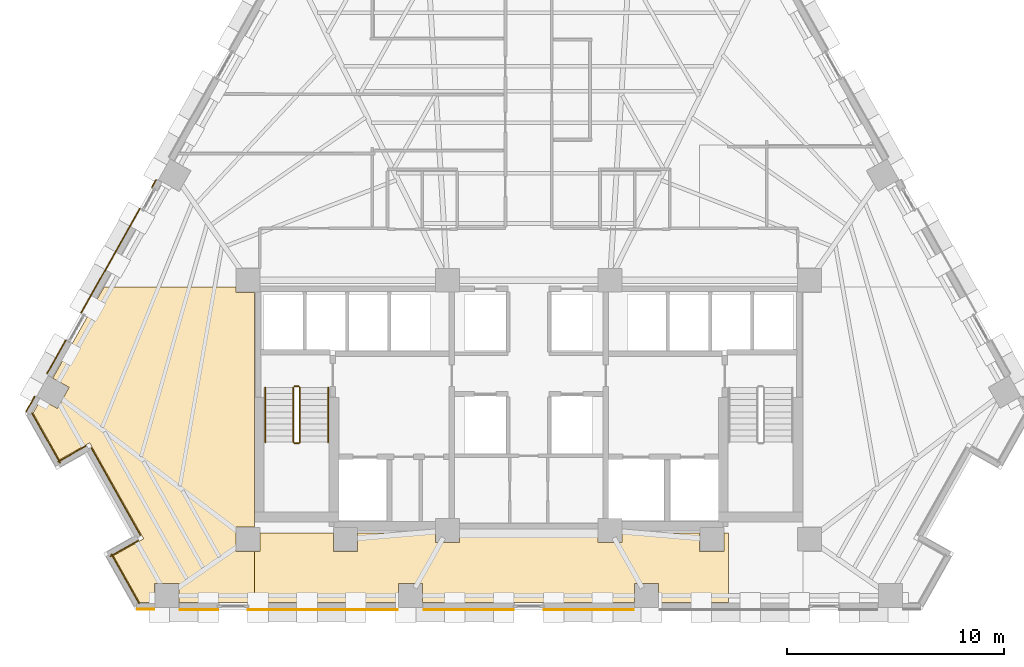
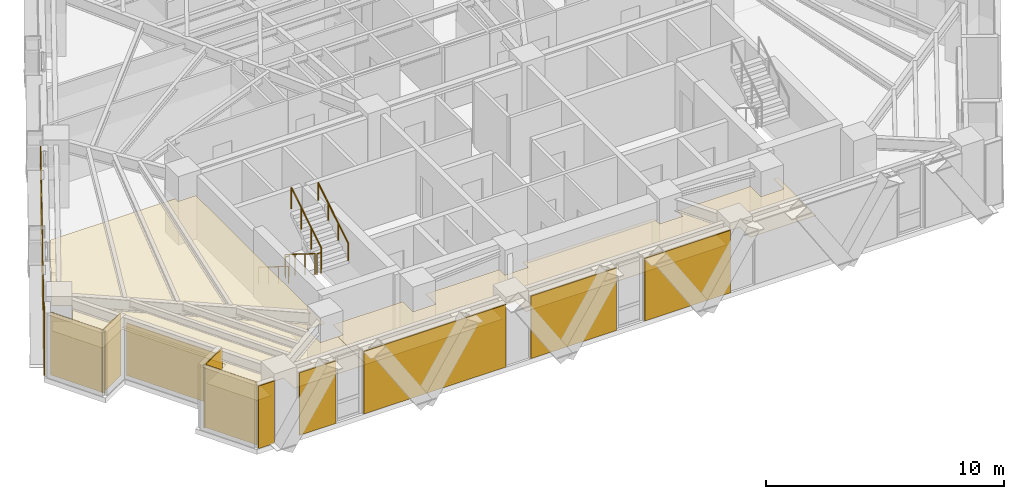
# One storey, part 10 of 13: 16 coverings, 6 railings.
"""IFC4 building model written with IfcOpenShell, lengths in metres."""

from ifc_helpers import new_model, si_unit, direction, frame, origin, origin_2d, place, context, subcontext, project, spatial, polyline, circle, outline, extrude, material, layer, layer_set, type_object, element, save


model = new_model("IFC4")

# Units and contexts
model_context = context("Model", 3, precision=1e-05, world=origin(), true_north=direction((0.0, 1.0)))
body_context = subcontext(model_context, "Body", "Model", "MODEL_VIEW")
ifc_project = project(units=[si_unit("LENGTHUNIT", "METRE"), si_unit("AREAUNIT", "SQUARE_METRE"), si_unit("VOLUMEUNIT", "CUBIC_METRE"), si_unit("PLANEANGLEUNIT", "RADIAN"), si_unit("MASSUNIT", "GRAM", prefix="KILO")], contexts=[model_context])

# Site, building, storey
site_placement = place(None, origin())
site = spatial("IfcSite", under=ifc_project, at=site_placement, CompositionType="ELEMENT")
building_placement = place(site_placement, origin())
building = spatial("IfcBuilding", under=site, at=building_placement, Name="Quenlor Broadcast Tower", CompositionType="ELEMENT")
storey_placement = place(building_placement, frame((0.0, 0.0, 98.5)))
storey = spatial("IfcBuildingStorey", under=building, at=storey_placement, Name="L26", CompositionType="ELEMENT", Elevation=98.5)

# Coverings
ifc_material_1 = material(Name="Acoustic Mineral Fibre Board", Category="other")
ifc_layer_1 = layer(ifc_material_1, 0.02490234375)
ifc_layer_set_1 = layer_set([ifc_layer_1], Name="Acoustic Perforated Mineral Tile Ceiling 25")
covering_type_1 = type_object("IfcCoveringType", Name="Acoustic Perforated Mineral Tile Ceiling 25", PredefinedType="CEILING", material=ifc_layer_set_1)
covering_1_placement = place(storey_placement, frame((0.0, 0.0, 2.22509765625)))
element("IfcCovering", 1, at=covering_1_placement, inside=storey, type_object=covering_type_1, Name="L26 Acoustic Ceiling L26-40-2", PredefinedType="CEILING", context=body_context, shape_type="SweptSolid", body=[
    extrude(outline(polyline([(-22.85693359375, -10.927978515625), (-22.49853515625, -10.290771484375), (-21.741943359375, -10.71630859375), (-21.19482421875, -9.74365234375), (-21.951416015625, -9.318115234375), (-19.58984375, -5.1201171875), (-13.508056640625, -5.1201171875), (-13.508056640625, -5.35791015625), (-12.64990234375, -5.35791015625), (-12.64990234375, -16.19189453125), (-13.508056640625, -16.19189453125), (-13.508056640625, -17.30810546875), (-12.64990234375, -17.30810546875), (-12.64990234375, -19.659912109375), (-16.134521484375, -19.659912109375), (-16.134521484375, -18.7919921875), (-17.25048828125, -18.7919921875), (-17.25048828125, -19.659912109375), (-17.9453125, -19.659912109375), (-19.15380859375, -17.510986328125), (-17.759521484375, -16.7265625), (-20.25, -12.299072265625), (-21.64453125, -13.08349609375), (-22.85693359375, -10.927978515625)])), origin(), (0.0, 0.0, 1.0), 0.02490234375),
])
covering_2_placement = place(storey_placement, frame((0.0, 0.0, 2.22509765625)))
element("IfcCovering", 2, at=covering_2_placement, inside=storey, type_object=covering_type_1, Name="L26 Acoustic Ceiling L26-40-3", PredefinedType="CEILING", context=body_context, shape_type="SweptSolid", body=[
    extrude(outline(polyline([(-12.39208984375, -17.30810546875), (-12.39208984375, -16.449951171875), (-9.008056640625, -16.449951171875), (-9.008056640625, -17.30810546875), (-7.89208984375, -17.30810546875), (-7.89208984375, -16.449951171875), (-4.30810546875, -16.449951171875), (-4.30810546875, -16.907958984375), (-3.19189453125, -16.907958984375), (-3.19189453125, -16.449951171875), (3.19189453125, -16.449951171875), (3.19189453125, -16.907958984375), (4.30810546875, -16.907958984375), (4.30810546875, -16.449951171875), (7.89208984375, -16.449951171875), (7.89208984375, -17.30810546875), (9.008056640625, -17.30810546875), (9.008056640625, -16.449951171875), (9.221923828125, -16.449951171875), (9.221923828125, -19.659912109375), (6.001220703125, -19.659912109375), (6.001220703125, -18.7919921875), (4.88525390625, -18.7919921875), (4.88525390625, -19.659912109375), (-4.88525390625, -19.659912109375), (-4.88525390625, -18.7919921875), (-6.001220703125, -18.7919921875), (-6.001220703125, -19.659912109375), (-12.64990234375, -19.659912109375), (-12.64990234375, -17.30810546875), (-12.39208984375, -17.30810546875)])), origin(), (0.0, 0.0, 1.0), 0.02490234375),
])
ifc_material_2 = material(Name="Architectural Terracotta Ceramic", Category="masonry")
ifc_layer_2 = layer(ifc_material_2, 0.044921875)
ifc_layer_set_2 = layer_set([ifc_layer_2], Name="Fluted Terracotta Rainscreen Cladding Panel")
covering_type_2 = type_object("IfcCoveringType", Name="Fluted Terracotta Rainscreen Cladding Panel", PredefinedType="CLADDING", material=ifc_layer_set_2)
covering_3_placement = place(storey_placement, frame((0.0, 0.0, 0.02001953125)))
element("IfcCovering", 3, at=covering_3_placement, inside=storey, type_object=covering_type_2, Name="L26 Terracotta Rainscreen Cladding L26-SHD-SS1", PredefinedType="CLADDING", context=body_context, shape_type="SweptSolid", body=[
    extrude(outline(polyline([(-17.277587890625, -19.951904296875), (-18.053955078125, -19.951904296875), (-18.053955078125, -19.9970703125), (-17.277587890625, -19.9970703125), (-17.277587890625, -19.951904296875)])), origin(), (0.0, 0.0, 1.0), 3.2099609375),
])
covering_4_placement = place(storey_placement, frame((0.0, 0.0, 0.02001953125)))
element("IfcCovering", 4, at=covering_4_placement, inside=storey, type_object=covering_type_2, Name="L26 Terracotta Rainscreen Cladding L26-SC-SP1", PredefinedType="CLADDING", context=body_context, shape_type="SweptSolid", body=[
    extrude(outline(polyline([(-6.048095703125, -19.971923828125), (-12.94873046875, -19.971923828125), (-12.94873046875, -20.01708984375), (-6.048095703125, -20.01708984375), (-6.048095703125, -19.971923828125)])), origin(), (0.0, 0.0, 1.0), 3.2099609375),
])
covering_5_placement = place(storey_placement, frame((0.0, 0.0, 0.02001953125)))
element("IfcCovering", 5, at=covering_5_placement, inside=storey, type_object=covering_type_2, Name="L26 Terracotta Rainscreen Cladding L26-SC-SP2", PredefinedType="CLADDING", context=body_context, shape_type="SweptSolid", body=[
    extrude(outline(polyline([(-14.32177734375, -19.971923828125), (-16.08740234375, -19.971923828125), (-16.08740234375, -20.01708984375), (-14.32177734375, -20.01708984375), (-14.32177734375, -19.971923828125)])), origin(), (0.0, 0.0, 1.0), 3.2099609375),
])
covering_6_placement = place(storey_placement, frame((0.0, 0.0, 0.02001953125)))
element("IfcCovering", 6, at=covering_6_placement, inside=storey, type_object=covering_type_2, Name="L26 Terracotta Rainscreen Cladding L26-S-SP1", PredefinedType="CLADDING", context=body_context, shape_type="SweptSolid", body=[
    extrude(outline(polyline([(4.84326171875, -19.971923828125), (0.6865234375, -19.971923828125), (0.6865234375, -20.01708984375), (4.84326171875, -20.01708984375), (4.84326171875, -19.971923828125)])), origin(), (0.0, 0.0, 1.0), 3.2099609375),
])
covering_7_placement = place(storey_placement, frame((0.0, 0.0, 0.02001953125)))
element("IfcCovering", 7, at=covering_7_placement, inside=storey, type_object=covering_type_2, Name="L26 Terracotta Rainscreen Cladding L26-S-SP2", PredefinedType="CLADDING", context=body_context, shape_type="SweptSolid", body=[
    extrude(outline(polyline([(-0.6865234375, -19.971923828125), (-4.84326171875, -19.971923828125), (-4.84326171875, -20.01708984375), (-0.6865234375, -20.01708984375), (-0.6865234375, -19.971923828125)])), origin(), (0.0, 0.0, 1.0), 3.2099609375),
])
covering_8_placement = place(storey_placement, frame((0.0, 0.0, 0.02001953125)))
element("IfcCovering", 8, at=covering_8_placement, inside=storey, type_object=covering_type_2, Name="L26 Terracotta Rainscreen Cladding L26-SHD-NWS0", PredefinedType="CLADDING", context=body_context, shape_type="SweptSolid", body=[
    extrude(outline(polyline([(-23.160888671875, -10.873046875), (-22.76611328125, -10.171142578125), (-22.805419921875, -10.149169921875), (-23.2001953125, -10.85107421875), (-23.160888671875, -10.873046875)])), origin(), (0.0, 0.0, 1.0), 3.2099609375),
])
covering_9_placement = place(storey_placement, frame((0.0, 0.0, 0.02001953125)))
element("IfcCovering", 9, at=covering_9_placement, inside=storey, type_object=covering_type_2, Name="L26 Terracotta Rainscreen Cladding L26-NWA-SP1", PredefinedType="CLADDING", context=body_context, shape_type="SweptSolid", body=[
    extrude(outline(polyline([(-22.2001953125, -9.1240234375), (-21.325927734375, -7.56982421875), (-21.364990234375, -7.5478515625), (-22.239501953125, -9.10205078125), (-22.2001953125, -9.1240234375)])), origin(), (0.0, 0.0, 1.0), 3.2099609375),
])
covering_10_placement = place(storey_placement, frame((0.0, 0.0, 0.02001953125)))
element("IfcCovering", 10, at=covering_10_placement, inside=storey, type_object=covering_type_2, Name="L26 Terracotta Rainscreen Cladding L26-NWA-SP2", PredefinedType="CLADDING", context=body_context, shape_type="SweptSolid", body=[
    extrude(outline(polyline([(-20.62744140625, -6.328369140625), (-17.912841796875, -1.502197265625), (-17.951904296875, -1.47998046875), (-20.666748046875, -6.306396484375), (-20.62744140625, -6.328369140625)])), origin(), (0.0, 0.0, 1.0), 3.2099609375),
])
covering_11_placement = place(storey_placement, frame((0.0, 0.0, 0.02001953125)))
element("IfcCovering", 11, at=covering_11_placement, inside=storey, type_object=covering_type_2, Name="L26 Terracotta Rainscreen Cladding L26-NWA-SP3", PredefinedType="CLADDING", context=body_context, shape_type="SweptSolid", body=[
    extrude(outline(polyline([(-17.36474609375, -0.528076171875), (-17.168701171875, -0.179443359375), (-17.2080078125, -0.157470703125), (-17.404052734375, -0.506103515625), (-17.36474609375, -0.528076171875)])), origin(), (0.0, 0.0, 1.0), 3.2099609375),
])
covering_12_placement = place(storey_placement, frame((0.0, 0.0, 0.02001953125)))
element("IfcCovering", 12, at=covering_12_placement, inside=storey, type_object=covering_type_2, Name="L26 Terracotta Rainscreen Cladding L26-CNR-12", PredefinedType="CLADDING", context=body_context, shape_type="SweptSolid", body=[
    extrude(outline(polyline([(-22.931396484375, -10.93408203125), (-21.630126953125, -13.24755859375), (-21.591064453125, -13.2255859375), (-22.892333984375, -10.912109375), (-22.931396484375, -10.93408203125)])), origin(), (0.0, 0.0, 1.0), 3.2099609375),
])
covering_13_placement = place(storey_placement, frame((0.0, 0.0, 0.02001953125)))
element("IfcCovering", 13, at=covering_13_placement, inside=storey, type_object=covering_type_2, Name="L26 Terracotta Rainscreen Cladding L26-CNR-13", PredefinedType="CLADDING", context=body_context, shape_type="SweptSolid", body=[
    extrude(outline(polyline([(-21.70703125, -13.19677734375), (-20.399658203125, -12.461181640625), (-20.421630859375, -12.422119140625), (-21.72900390625, -13.157470703125), (-21.70703125, -13.19677734375)])), origin(), (0.0, 0.0, 1.0), 3.2099609375),
])
covering_14_placement = place(storey_placement, frame((0.0, 0.0, 0.02001953125)))
element("IfcCovering", 14, at=covering_14_placement, inside=storey, type_object=covering_type_2, Name="L26 Terracotta Rainscreen Cladding L26-CNR-14", PredefinedType="CLADDING", context=body_context, shape_type="SweptSolid", body=[
    extrude(outline(polyline([(-20.186767578125, -12.55029296875), (-17.921630859375, -16.576904296875), (-17.88232421875, -16.554931640625), (-20.1474609375, -12.5283203125), (-20.186767578125, -12.55029296875)])), origin(), (0.0, 0.0, 1.0), 2.681884765625),
])
covering_15_placement = place(storey_placement, frame((0.0, 0.0, 0.02001953125)))
element("IfcCovering", 15, at=covering_15_placement, inside=storey, type_object=covering_type_2, Name="L26 Terracotta Rainscreen Cladding L26-CNR-15", PredefinedType="CLADDING", context=body_context, shape_type="SweptSolid", body=[
    extrude(outline(polyline([(-18.010498046875, -16.789794921875), (-19.31787109375, -17.525390625), (-19.2958984375, -17.564697265625), (-17.988525390625, -16.8291015625), (-18.010498046875, -16.789794921875)])), origin(), (0.0, 0.0, 1.0), 3.2099609375),
])
covering_16_placement = place(storey_placement, frame((0.0, 0.0, 0.02001953125)))
element("IfcCovering", 16, at=covering_16_placement, inside=storey, type_object=covering_type_2, Name="L26 Terracotta Rainscreen Cladding L26-CNR-16", PredefinedType="CLADDING", context=body_context, shape_type="SweptSolid", body=[
    extrude(outline(polyline([(-19.26708984375, -17.448486328125), (-17.987060546875, -19.72412109375), (-17.947998046875, -19.7021484375), (-19.227783203125, -17.426513671875), (-19.26708984375, -17.448486328125)])), origin(), (0.0, 0.0, 1.0), 3.2099609375),
])

# Railings
ifc_material_3 = material(Name="Anodised Aluminium", Category="aluminium")
railing_type_1 = type_object("IfcRailingType", Name="Stainless Aluminium Wall Handrail 900", PredefinedType="HANDRAIL", material=ifc_material_3)
railing_1_placement = place(storey_placement, frame((-12.14990234375, -9.75, 0.175048828125)))
element("IfcRailing", 17, at=railing_1_placement, inside=storey, type_object=railing_type_1, Name="L26 ST-1 stair handrail 1", PredefinedType="HANDRAIL", context=body_context, shape_type="SweptSolid", body=[
    extrude(circle(Radius=0.02392578125, at=origin_2d()), frame((0.0, 0.0, 0.8759765625), z_axis=(0.0, -0.848007534815, 0.529984170421), x_axis=(1.0, 0.0, 0.0)), (0.0, 0.0, 1.0), 2.9716796875),
    extrude(circle(Radius=0.02099609375, at=origin_2d()), origin(), (0.0, 0.0, 1.0), 0.851806640625),
    extrude(circle(Radius=0.02099609375, at=origin_2d()), frame((0.0, -0.840087890625, 0.52490234375)), (0.0, 0.0, 1.0), 0.851806640625),
    extrude(circle(Radius=0.02099609375, at=origin_2d()), frame((0.0, -1.679931640625, 1.050048828125)), (0.0, 0.0, 1.0), 0.851806640625),
    extrude(circle(Radius=0.02099609375, at=origin_2d()), frame((0.0, -2.52001953125, 1.574951171875)), (0.0, 0.0, 1.0), 0.851806640625),
])
railing_2_placement = place(storey_placement, frame((-9.25, -12.27001953125, 1.925048828125)))
element("IfcRailing", 18, at=railing_2_placement, inside=storey, type_object=railing_type_1, Name="L26 ST-1 stair handrail 2", PredefinedType="HANDRAIL", context=body_context, shape_type="SweptSolid", body=[
    extrude(circle(Radius=0.02392578125, at=origin_2d()), frame((0.0, 0.0, 0.8759765625), z_axis=(0.0, 0.848007534815, 0.529984170421), x_axis=(-1.0, 0.0, 0.0)), (0.0, 0.0, 1.0), 2.9716796875),
    extrude(circle(Radius=0.02099609375, at=origin_2d()), origin(), (0.0, 0.0, 1.0), 0.851806640625),
    extrude(circle(Radius=0.02099609375, at=origin_2d()), frame((0.0, 0.840087890625, 0.52490234375)), (0.0, 0.0, 1.0), 0.851806640625),
    extrude(circle(Radius=0.02099609375, at=origin_2d()), frame((0.0, 1.679931640625, 1.050048828125)), (0.0, 0.0, 1.0), 0.851806640625),
    extrude(circle(Radius=0.02099609375, at=origin_2d()), frame((0.0, 2.52001953125, 1.574951171875)), (0.0, 0.0, 1.0), 0.851806640625),
])
ifc_material_4 = material(Name="Steel S355", Category="steel")
railing_type_2 = type_object("IfcRailingType", Name="Tubular Steel S355 Stair Guardrail 1100", PredefinedType="BALUSTRADE", material=ifc_material_4)
railing_3_placement = place(storey_placement, frame((-10.85009765625, -9.75, 0.175048828125)))
element("IfcRailing", 19, at=railing_3_placement, inside=storey, type_object=railing_type_2, Name="L26 ST-1 stair guard 1", PredefinedType="BALUSTRADE", context=body_context, shape_type="SweptSolid", body=[
    extrude(circle(Radius=0.02392578125, at=origin_2d()), frame((0.0, 0.0, 1.076171875), z_axis=(0.0, -0.848007534815, 0.529984170421), x_axis=(1.0, 0.0, 0.0)), (0.0, 0.0, 1.0), 2.9716796875),
    extrude(circle(Radius=0.02099609375, at=origin_2d()), origin(), (0.0, 0.0, 1.0), 1.052001953125),
    extrude(circle(Radius=0.02099609375, at=origin_2d()), frame((0.0, -0.840087890625, 0.52490234375)), (0.0, 0.0, 1.0), 1.052001953125),
    extrude(circle(Radius=0.02099609375, at=origin_2d()), frame((0.0, -1.679931640625, 1.050048828125)), (0.0, 0.0, 1.0), 1.052001953125),
    extrude(circle(Radius=0.02099609375, at=origin_2d()), frame((0.0, -2.52001953125, 1.574951171875)), (0.0, 0.0, 1.0), 1.052001953125),
])
railing_4_placement = place(storey_placement, frame((-10.800048828125, -12.320068359375, 1.75)))
element("IfcRailing", 20, at=railing_4_placement, inside=storey, type_object=railing_type_2, Name="L26 ST-1 stair guard 2", PredefinedType="BALUSTRADE", context=body_context, shape_type="SweptSolid", body=[
    extrude(circle(Radius=0.02392578125, at=origin_2d()), frame((0.0, 0.0, 1.076171875), z_axis=(1.0, 0.0, 0.0), x_axis=(0.0, 1.0, 0.0)), (0.0, 0.0, 1.0), 0.199951171875),
    extrude(circle(Radius=0.02099609375, at=origin_2d()), origin(), (0.0, 0.0, 1.0), 1.052001953125),
    extrude(circle(Radius=0.02099609375, at=origin_2d()), frame((0.199951171875, 0.0, 0.0)), (0.0, 0.0, 1.0), 1.052001953125),
])
railing_5_placement = place(storey_placement, frame((-10.550048828125, -12.27001953125, 1.925048828125)))
element("IfcRailing", 21, at=railing_5_placement, inside=storey, type_object=railing_type_2, Name="L26 ST-1 stair guard 3", PredefinedType="BALUSTRADE", context=body_context, shape_type="SweptSolid", body=[
    extrude(circle(Radius=0.02392578125, at=origin_2d()), frame((0.0, 0.0, 1.076171875), z_axis=(0.0, 0.848007534815, 0.529984170421), x_axis=(-1.0, 0.0, 0.0)), (0.0, 0.0, 1.0), 2.9716796875),
    extrude(circle(Radius=0.02099609375, at=origin_2d()), origin(), (0.0, 0.0, 1.0), 1.052001953125),
    extrude(circle(Radius=0.02099609375, at=origin_2d()), frame((0.0, 0.840087890625, 0.52490234375)), (0.0, 0.0, 1.0), 1.052001953125),
    extrude(circle(Radius=0.02099609375, at=origin_2d()), frame((0.0, 1.679931640625, 1.050048828125)), (0.0, 0.0, 1.0), 1.052001953125),
    extrude(circle(Radius=0.02099609375, at=origin_2d()), frame((0.0, 2.52001953125, 1.574951171875)), (0.0, 0.0, 1.0), 1.052001953125),
])
railing_6_placement = place(storey_placement, frame((-10.800048828125, -9.699951171875, 0.0)))
element("IfcRailing", 22, at=railing_6_placement, inside=storey, type_object=railing_type_2, Name="L26 ST-1 stair guard 4", PredefinedType="BALUSTRADE", context=body_context, shape_type="SweptSolid", body=[
    extrude(circle(Radius=0.02392578125, at=origin_2d()), frame((0.0, 0.0, 1.076171875), z_axis=(1.0, 0.0, 0.0), x_axis=(0.0, 1.0, 0.0)), (0.0, 0.0, 1.0), 0.199951171875),
    extrude(circle(Radius=0.02099609375, at=origin_2d()), origin(), (0.0, 0.0, 1.0), 1.052001953125),
    extrude(circle(Radius=0.02099609375, at=origin_2d()), frame((0.199951171875, 0.0, 0.0)), (0.0, 0.0, 1.0), 1.052001953125),
])

save(model, "model.ifc")
